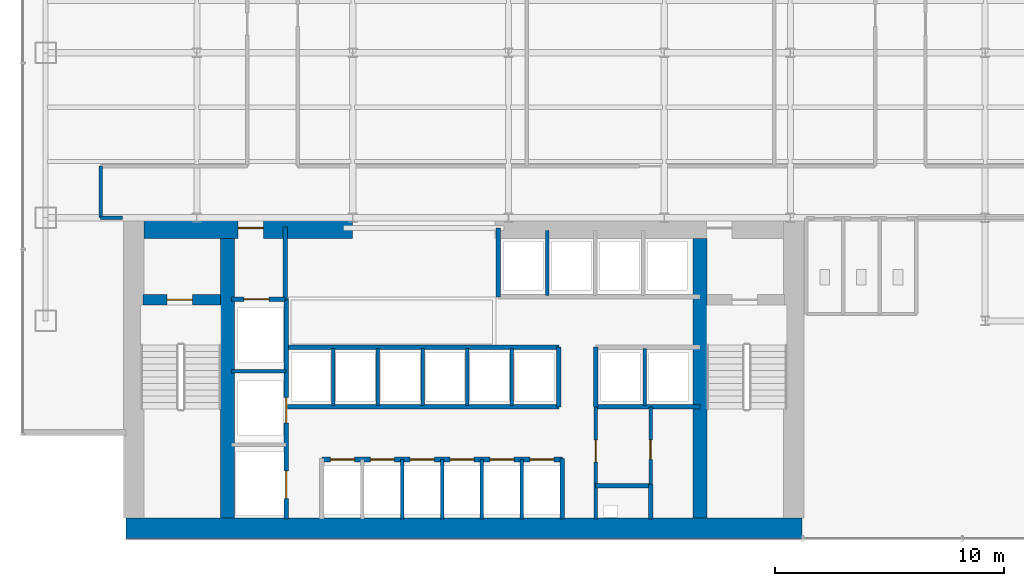
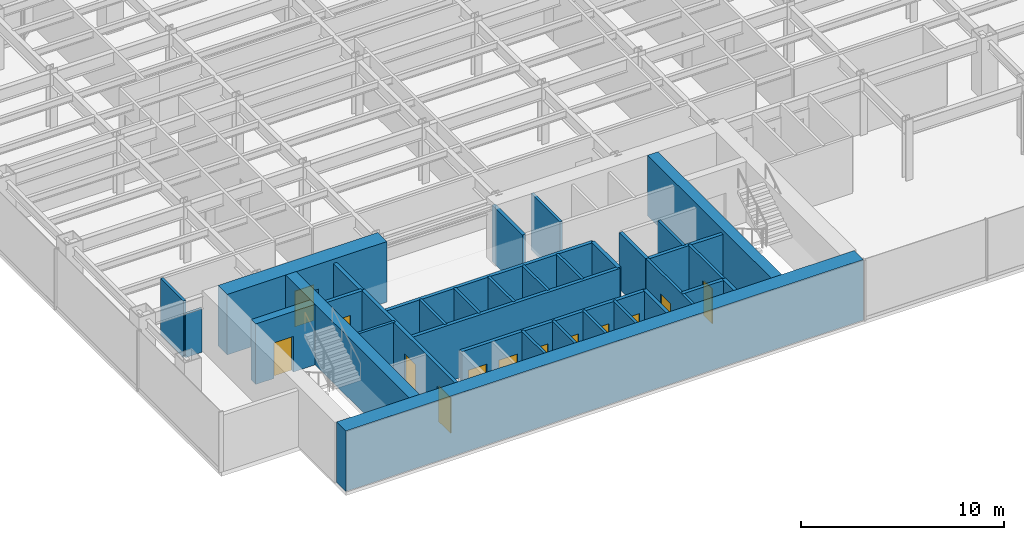
# One storey, part 17 of 22: 34 walls, 13 doors, 13 openings.
"""IFC4 building model written with IfcOpenShell, lengths in metres."""

from ifc_helpers import new_model, si_unit, derived_unit, direction, frame, frame_2d, origin, place, context, subcontext, project, spatial, rectangle, extrude, source, transform, mapped, material, layer, layer_set, type_object, element, fill, save


model = new_model("IFC4")

# Units and contexts
model_context = context("Model", 3, precision=1e-05, world=origin(), true_north=direction((0.0, 1.0)))
body_context = subcontext(model_context, "Body", "Model", "MODEL_VIEW")
ifc_project = project(units=[si_unit("LENGTHUNIT", "METRE"), si_unit("AREAUNIT", "SQUARE_METRE"), si_unit("VOLUMEUNIT", "CUBIC_METRE"), si_unit("PLANEANGLEUNIT", "RADIAN"), si_unit("MASSUNIT", "GRAM", prefix="KILO"), derived_unit("THERMALTRANSMITTANCEUNIT", [(si_unit("POWERUNIT", "WATT"), 1), (si_unit("LENGTHUNIT", "METRE"), -2), (si_unit("THERMODYNAMICTEMPERATUREUNIT", "KELVIN"), -1)])], contexts=[model_context])

# Site, building, storey
site_placement = place(None, origin())
site = spatial("IfcSite", under=ifc_project, at=site_placement, CompositionType="ELEMENT")
building_placement = place(site_placement, origin())
building = spatial("IfcBuilding", under=site, at=building_placement, Name="Skarnbrae Concourse Arena and Tower", CompositionType="ELEMENT")
storey_placement = place(building_placement, frame((0.0, 0.0, 36.14990234375)))
storey = spatial("IfcBuildingStorey", under=building, at=storey_placement, Name="L07", CompositionType="ELEMENT", Elevation=36.14990234375)

# Wall
ifc_material_1 = material(Name="Concrete 70 MPa (C70/85)", Category="concrete")
ifc_layer_1 = layer(ifc_material_1, 0.89990234375)
ifc_layer_set_1 = layer_set([ifc_layer_1], Name="Concrete 70 MPa (C70/85)")
wall_type_1 = type_object("IfcWallType", Name="WALL-CORE-900-C70", PredefinedType="SHEAR", material=ifc_layer_set_1)
shared_shape_1 = source(origin(), body_context, "Body", "SweptSolid", [
    extrude(rectangle(XDim=29.5, YDim=0.89990234375, at=frame_2d((14.75, 0.0))), origin(), (0.0, 0.0, 1.0), 3.650146484375),
])
wall_1_placement = place(storey_placement, frame((4.5, 0.449951171875, 0.0), z_axis=(0.0, 0.0, 1.0), x_axis=(1.0, 0.0, 0.0)))
element("IfcWall", 1, at=wall_1_placement, inside=storey, type_object=wall_type_1, Name="L07 Rear core shear wall CW-S", PredefinedType="SHEAR", context=body_context, shape_type="MappedRepresentation", body=[
    mapped(shared_shape_1, transform((0.0, 0.0, 0.0))),
])

# Wall, opening, door
shared_shape_2 = source(origin(), body_context, "Body", "SweptSolid", [
    extrude(rectangle(XDim=9.099853515625, YDim=0.89990234375, at=frame_2d((4.5498046875, 0.0))), origin(), (0.0, 0.0, 1.0), 3.650146484375),
])
wall_2_placement = place(storey_placement, frame((5.300048828125, 13.550048828125, 0.0), z_axis=(0.0, 0.0, 1.0), x_axis=(1.0, 0.0, 0.0)))
wall_2 = element("IfcWall", 2, at=wall_2_placement, inside=storey, type_object=wall_type_1, Name="L07 Rear core shear wall CW-NW", PredefinedType="SHEAR", context=body_context, shape_type="MappedRepresentation", body=[
    mapped(shared_shape_2, transform((0.0, 0.0, 0.0))),
])
opening_1_placement = place(wall_2_placement, frame((4.10009765625, 0.0, 0.0)))
opening_1 = element("IfcOpeningElement", 3, at=opening_1_placement, cuts=wall_2, Name="Opening DT-03", PredefinedType="OPENING", context=body_context, shape_type="SweptSolid", body=[
    extrude(rectangle(XDim=1.10009765625, YDim=2.14990234375, at=frame_2d((0.550048828125, 1.074951171875))), frame((0.0, 0.4599609375, 0.0), z_axis=(0.0, -1.0, 0.0), x_axis=(1.0, 0.0, 0.0)), (0.0, 0.0, 1.0), 0.919921875),
])
ifc_material_2 = material(Name="Steel CSA G40.21 350W", Category="steel")
door_type_1 = type_object("IfcDoorType", Name="DOOR-FIRE-1100-90M", OperationType="NOTDEFINED", PredefinedType="DOOR", material=ifc_material_2)
shared_shape_3 = source(origin(), body_context, "Body", "SweptSolid", [
    extrude(rectangle(XDim=1.10009765625, YDim=2.14990234375, at=frame_2d((0.550048828125, 1.074951171875))), frame((0.0, 0.02490234375, 0.0), z_axis=(0.0, -1.0, 0.0), x_axis=(1.0, 0.0, 0.0)), (0.0, 0.0, 1.0), 0.050048828125),
])
door_1_placement = place(opening_1_placement, origin())
door_1 = element("IfcDoor", 4, at=door_1_placement, inside=storey, type_object=door_type_1, Name="D-0359 Firefighting Lobby Exit Door", OperationType="SINGLE_SWING_RIGHT", OverallHeight=2.14990234375, OverallWidth=1.10009765625, PredefinedType="DOOR", context=body_context, shape_type="MappedRepresentation", body=[
    mapped(shared_shape_3, transform((0.0, 0.0, 0.0))),
])
fill(opening_1, door_1)

# Walls
ifc_layer_2 = layer(ifc_material_1, 0.60009765625)
ifc_layer_set_2 = layer_set([ifc_layer_2], Name="Concrete 70 MPa (C70/85)")
wall_type_2 = type_object("IfcWallType", Name="WALL-CORE-600-C70", PredefinedType="SHEAR", material=ifc_layer_set_2)
shared_shape_4 = source(origin(), body_context, "Body", "SweptSolid", [
    extrude(rectangle(XDim=12.2001953125, YDim=0.60009765625, at=frame_2d((6.10009765625, 0.0))), origin(), (0.0, 0.0, 1.0), 3.650146484375),
])
for number, where, z_axis, x_axis, name in (
    (5, (8.93994140625, 0.89990234375, 0.0), (0.0, 0.0, 1.0), (0.0, 1.0, 0.0), "L07 Rear core shear wall CW-WEB-W"),
    (6, (29.56005859375, 0.89990234375, 0.0), (0.0, 0.0, 1.0), (0.0, 1.0, 0.0), "L07 Rear core shear wall CW-WEB-E"),
):
    element("IfcWall", number, at=place(storey_placement, frame(where, z_axis=z_axis, x_axis=x_axis)), inside=storey, type_object=wall_type_2, Name=name, PredefinedType="SHEAR", context=body_context, shape_type="MappedRepresentation", body=[
        mapped(shared_shape_4, transform((0.0, 0.0, 0.0))),
    ])

# Wall, opening, door
ifc_material_3 = material(Name="Concrete 50 MPa (C50/60)", Category="concrete")
ifc_layer_3 = layer(ifc_material_3, 0.449951171875)
ifc_layer_set_3 = layer_set([ifc_layer_3], Name="Concrete 50 MPa (C50/60)")
wall_type_3 = type_object("IfcWallType", Name="WALL-CORE-450-C50", PredefinedType="SHEAR", material=ifc_layer_set_3)
shared_shape_5 = source(origin(), body_context, "Body", "SweptSolid", [
    extrude(rectangle(XDim=3.389892578125, YDim=0.449951171875, at=frame_2d((1.69482421875, 0.0))), origin(), (0.0, 0.0, 1.0), 3.650146484375),
])
wall_3_placement = place(storey_placement, frame((5.25, 10.419921875, 0.0), z_axis=(0.0, 0.0, 1.0), x_axis=(1.0, 0.0, 0.0)))
wall_3 = element("IfcWall", 7, at=wall_3_placement, inside=storey, type_object=wall_type_3, Name="L07 Rear core shear wall CW-ST1-N", PredefinedType="SHEAR", context=body_context, shape_type="MappedRepresentation", body=[
    mapped(shared_shape_5, transform((0.0, 0.0, 0.0))),
])
opening_2_placement = place(wall_3_placement, frame((1.050048828125, 0.0, 0.0)))
opening_2 = element("IfcOpeningElement", 8, at=opening_2_placement, cuts=wall_3, Name="Opening DT-03", PredefinedType="OPENING", context=body_context, shape_type="SweptSolid", body=[
    extrude(rectangle(XDim=1.10009765625, YDim=2.14990234375, at=frame_2d((0.550048828125, 1.074951171875))), frame((0.0, 0.23486328125, 0.0), z_axis=(0.0, -1.0, 0.0), x_axis=(1.0, 0.0, 0.0)), (0.0, 0.0, 1.0), 0.469970703125),
])
door_2_placement = place(opening_2_placement, frame((1.10009765625, 0.0, 0.0), z_axis=(0.0, 0.0, 1.0), x_axis=(-1.0, 0.0, 0.0)))
door_2 = element("IfcDoor", 9, at=door_2_placement, inside=storey, type_object=door_type_1, Name="D-0357 Stair ST-1 Door", OperationType="SINGLE_SWING_LEFT", OverallHeight=2.14990234375, OverallWidth=1.10009765625, PredefinedType="DOOR", context=body_context, shape_type="MappedRepresentation", body=[
    mapped(shared_shape_3, transform((0.0, 0.0, 0.0))),
])
fill(opening_2, door_2)

# Walls
ifc_material_4 = material(Name="Gypsum board on cold-formed steel studs", Category="steel")
ifc_layer_4 = layer(ifc_material_4, 0.14990234375)
ifc_layer_set_4 = layer_set([ifc_layer_4], Name="Gypsum board on cold-formed steel studs")
wall_type_4 = type_object("IfcWallType", Name="WALL-PART-150-1HR", PredefinedType="PARTITIONING", material=ifc_layer_set_4)
shared_shape_6 = source(origin(), body_context, "Body", "SweptSolid", [
    extrude(rectangle(XDim=0.9501953125, YDim=0.14990234375, at=frame_2d((0.47509765625, 0.0))), origin(), (0.0, 0.0, 1.0), 2.625),
])
wall_4_placement = place(storey_placement, frame((4.35009765625, 14.0, 0.0), z_axis=(0.0, 0.0, 1.0), x_axis=(-1.0, 0.0, 0.0)))
element("IfcWall", 10, at=wall_4_placement, inside=storey, type_object=wall_type_4, Name="L07 Interior partition wall W-L07-COR-01", PredefinedType="PARTITIONING", context=body_context, shape_type="MappedRepresentation", body=[
    mapped(shared_shape_6, transform((0.0, 0.0, 0.0))),
])
ifc_layer_5 = layer(ifc_material_4, 0.199951171875)
ifc_layer_set_5 = layer_set([ifc_layer_5], Name="Gypsum board on cold-formed steel studs")
wall_type_5 = type_object("IfcWallType", Name="WALL-PART-200-2HR", PredefinedType="PARTITIONING", material=ifc_layer_set_5)
shared_shape_7 = source(origin(), body_context, "Body", "SweptSolid", [
    extrude(rectangle(XDim=3.18017578125, YDim=0.199951171875, at=frame_2d((1.590087890625, 0.0))), origin(), (0.0, 0.0, 1.0), 3.400146484375),
])
wall_5_placement = place(storey_placement, frame((11.449951171875, 10.419921875, 0.0), z_axis=(0.0, 0.0, 1.0), x_axis=(0.0, 1.0, 0.0)))
element("IfcWall", 11, at=wall_5_placement, inside=storey, type_object=wall_type_5, Name="L07 Interior partition wall W-L07-FFL-E", PredefinedType="PARTITIONING", context=body_context, shape_type="MappedRepresentation", body=[
    mapped(shared_shape_7, transform((0.0, 0.0, 0.0))),
])

# Wall, opening, door
shared_shape_8 = source(origin(), body_context, "Body", "SweptSolid", [
    extrude(rectangle(XDim=2.349853515625, YDim=0.199951171875, at=frame_2d((1.1748046875, 0.0))), origin(), (0.0, 0.0, 1.0), 3.400146484375),
])
wall_6_placement = place(storey_placement, frame((9.10009765625, 10.449951171875, 0.0), z_axis=(0.0, 0.0, 1.0), x_axis=(1.0, 0.0, 0.0)))
wall_6 = element("IfcWall", 12, at=wall_6_placement, inside=storey, type_object=wall_type_5, Name="L07 Interior partition wall W-L07-FL1-N", PredefinedType="PARTITIONING", context=body_context, shape_type="MappedRepresentation", body=[
    mapped(shared_shape_8, transform((0.0, 0.0, 0.0))),
])
opening_3_placement = place(wall_6_placement, frame((0.550048828125, 0.0, 0.0)))
opening_3 = element("IfcOpeningElement", 13, at=opening_3_placement, cuts=wall_6, Name="Opening LD-01", PredefinedType="OPENING", context=body_context, shape_type="SweptSolid", body=[
    extrude(rectangle(XDim=1.10009765625, YDim=2.14990234375, at=frame_2d((0.550048828125, 1.074951171875))), frame((0.0, 0.10986328125, 0.0), z_axis=(0.0, -1.0, 0.0), x_axis=(1.0, 0.0, 0.0)), (0.0, 0.0, 1.0), 0.219970703125),
])
door_type_2 = type_object("IfcDoorType", Name="DOOR-LIFT-SLIDE-1100", OperationType="SLIDING_TO_LEFT", PredefinedType="DOOR", material=ifc_material_2)
door_3_placement = place(opening_3_placement, origin())
door_3 = element("IfcDoor", 14, at=door_3_placement, inside=storey, type_object=door_type_2, Name="D-0361 Firefighting Lift Landing Door FL-01", OperationType="SLIDING_TO_LEFT", OverallHeight=2.14990234375, OverallWidth=1.10009765625, PredefinedType="DOOR", context=body_context, shape_type="MappedRepresentation", body=[
    mapped(shared_shape_3, transform((0.0, 0.0, 0.0))),
])
fill(opening_3, door_3)

# Wall, openings, doors
shared_shape_9 = source(origin(), body_context, "Body", "SweptSolid", [
    extrude(rectangle(XDim=9.599853515625, YDim=0.199951171875, at=frame_2d((4.7998046875, 0.0))), origin(), (0.0, 0.0, 1.0), 3.400146484375),
])
wall_7_placement = place(storey_placement, frame((11.5, 0.85009765625, 0.0), z_axis=(0.0, 0.0, 1.0), x_axis=(0.0, 1.0, 0.0)))
wall_7 = element("IfcWall", 15, at=wall_7_placement, inside=storey, type_object=wall_type_5, Name="L07 Interior partition wall W-L07-FL-E", PredefinedType="PARTITIONING", context=body_context, shape_type="MappedRepresentation", body=[
    mapped(shared_shape_9, transform((0.0, 0.0, 0.0))),
])
opening_4_placement = place(wall_7_placement, frame((4.199951171875, 0.0, 0.0)))
opening_4 = element("IfcOpeningElement", 16, at=opening_4_placement, cuts=wall_7, Name="Opening LD-01", PredefinedType="OPENING", context=body_context, shape_type="SweptSolid", body=[
    extrude(rectangle(XDim=1.10009765625, YDim=2.14990234375, at=frame_2d((0.550048828125, 1.074951171875))), frame((0.0, 0.10986328125, 0.0), z_axis=(0.0, -1.0, 0.0), x_axis=(1.0, 0.0, 0.0)), (0.0, 0.0, 1.0), 0.219970703125),
])
opening_5_placement = place(wall_7_placement, frame((0.89990234375, 0.0, 0.0)))
opening_5 = element("IfcOpeningElement", 17, at=opening_5_placement, cuts=wall_7, Name="Opening LD-02", PredefinedType="OPENING", context=body_context, shape_type="SweptSolid", body=[
    extrude(rectangle(XDim=1.199951171875, YDim=2.14990234375, at=frame_2d((0.60009765625, 1.074951171875))), frame((0.0, 0.10986328125, 0.0), z_axis=(0.0, -1.0, 0.0), x_axis=(1.0, 0.0, 0.0)), (0.0, 0.0, 1.0), 0.219970703125),
])
door_4_placement = place(opening_4_placement, frame((1.10009765625, 0.0, 0.0), z_axis=(0.0, 0.0, 1.0), x_axis=(-1.0, 0.0, 0.0)))
door_4 = element("IfcDoor", 18, at=door_4_placement, inside=storey, type_object=door_type_2, Name="D-0362 Firefighting Lift Landing Door FL-02", OperationType="SLIDING_TO_LEFT", OverallHeight=2.14990234375, OverallWidth=1.10009765625, PredefinedType="DOOR", context=body_context, shape_type="MappedRepresentation", body=[
    mapped(shared_shape_3, transform((0.0, 0.0, 0.0))),
])
fill(opening_4, door_4)
door_type_3 = type_object("IfcDoorType", Name="DOOR-LIFT-SLIDE-1200", OperationType="SLIDING_TO_LEFT", PredefinedType="DOOR", material=ifc_material_2)
shared_shape_10 = source(origin(), body_context, "Body", "SweptSolid", [
    extrude(rectangle(XDim=1.199951171875, YDim=2.14990234375, at=frame_2d((0.60009765625, 1.074951171875))), frame((0.0, 0.02490234375, 0.0), z_axis=(0.0, -1.0, 0.0), x_axis=(1.0, 0.0, 0.0)), (0.0, 0.0, 1.0), 0.050048828125),
])
door_5_placement = place(opening_5_placement, frame((1.199951171875, 0.0, 0.0), z_axis=(0.0, 0.0, 1.0), x_axis=(-1.0, 0.0, 0.0)))
door_5 = element("IfcDoor", 19, at=door_5_placement, inside=storey, type_object=door_type_3, Name="D-0363 Service Lift Landing Door SV-01", OperationType="SLIDING_TO_LEFT", OverallHeight=2.14990234375, OverallWidth=1.199951171875, PredefinedType="DOOR", context=body_context, shape_type="MappedRepresentation", body=[
    mapped(shared_shape_10, transform((0.0, 0.0, 0.0))),
])
fill(opening_5, door_5)

# Walls
ifc_layer_6 = layer(ifc_material_4, 0.14990234375)
ifc_layer_set_6 = layer_set([ifc_layer_6], Name="Gypsum board on cold-formed steel studs")
wall_type_6 = type_object("IfcWallType", Name="WALL-PART-150", PredefinedType="PARTITIONING", material=ifc_layer_set_6)
shared_shape_11 = source(origin(), body_context, "Body", "SweptSolid", [
    extrude(rectangle(XDim=2.39990234375, YDim=0.14990234375, at=frame_2d((1.199951171875, 0.0))), origin(), (0.0, 0.0, 1.0), 3.400146484375),
])
wall_8_placement = place(storey_placement, frame((9.10009765625, 7.300048828125, 0.0), z_axis=(0.0, 0.0, 1.0), x_axis=(1.0, 0.0, 0.0)))
element("IfcWall", 20, at=wall_8_placement, inside=storey, type_object=wall_type_6, Name="L07 Interior partition wall W-L07-FL-D2", PredefinedType="PARTITIONING", context=body_context, shape_type="MappedRepresentation", body=[
    mapped(shared_shape_11, transform((0.0, 0.0, 0.0))),
])
shared_shape_12 = source(origin(), body_context, "Body", "SweptSolid", [
    extrude(rectangle(XDim=2.64990234375, YDim=0.199951171875, at=frame_2d((1.324951171875, 0.0))), origin(), (0.0, 0.0, 1.0), 3.400146484375),
])
wall_9_placement = place(storey_placement, frame((23.550048828125, 0.85009765625, 0.0), z_axis=(0.0, 0.0, 1.0), x_axis=(0.0, 1.0, 0.0)))
element("IfcWall", 21, at=wall_9_placement, inside=storey, type_object=wall_type_5, Name="L07 Interior partition wall W-L07-B1-E", PredefinedType="PARTITIONING", context=body_context, shape_type="MappedRepresentation", body=[
    mapped(shared_shape_12, transform((0.0, 0.0, 0.0))),
])

# Wall, openings, doors
shared_shape_13 = source(origin(), body_context, "Body", "SweptSolid", [
    extrude(rectangle(XDim=10.5, YDim=0.199951171875, at=frame_2d((5.25, 0.0))), origin(), (0.0, 0.0, 1.0), 3.400146484375),
])
wall_10_placement = place(storey_placement, frame((13.050048828125, 3.449951171875, 0.0), z_axis=(0.0, 0.0, 1.0), x_axis=(1.0, 0.0, 0.0)))
wall_10 = element("IfcWall", 22, at=wall_10_placement, inside=storey, type_object=wall_type_5, Name="L07 Interior partition wall W-L07-B1-N", PredefinedType="PARTITIONING", context=body_context, shape_type="MappedRepresentation", body=[
    mapped(shared_shape_13, transform((0.0, 0.0, 0.0))),
])
opening_6_placement = place(wall_10_placement, frame((0.3798828125, 0.0, 0.0)))
opening_6 = element("IfcOpeningElement", 23, at=opening_6_placement, cuts=wall_10, Name="Opening LD-03", PredefinedType="OPENING", context=body_context, shape_type="SweptSolid", body=[
    extrude(rectangle(XDim=1.050048828125, YDim=2.14990234375, at=frame_2d((0.52490234375, 1.074951171875))), frame((0.0, 0.10986328125, 0.0), z_axis=(0.0, -1.0, 0.0), x_axis=(1.0, 0.0, 0.0)), (0.0, 0.0, 1.0), 0.219970703125),
])
opening_7_placement = place(wall_10_placement, frame((2.1201171875, 0.0, 0.0)))
opening_7 = element("IfcOpeningElement", 24, at=opening_7_placement, cuts=wall_10, Name="Opening LD-03", PredefinedType="OPENING", context=body_context, shape_type="SweptSolid", body=[
    extrude(rectangle(XDim=1.050048828125, YDim=2.14990234375, at=frame_2d((0.52490234375, 1.074951171875))), frame((0.0, 0.10986328125, 0.0), z_axis=(0.0, -1.0, 0.0), x_axis=(1.0, 0.0, 0.0)), (0.0, 0.0, 1.0), 0.219970703125),
])
opening_8_placement = place(wall_10_placement, frame((3.860107421875, 0.0, 0.0)))
opening_8 = element("IfcOpeningElement", 25, at=opening_8_placement, cuts=wall_10, Name="Opening LD-03", PredefinedType="OPENING", context=body_context, shape_type="SweptSolid", body=[
    extrude(rectangle(XDim=1.050048828125, YDim=2.14990234375, at=frame_2d((0.52490234375, 1.074951171875))), frame((0.0, 0.10986328125, 0.0), z_axis=(0.0, -1.0, 0.0), x_axis=(1.0, 0.0, 0.0)), (0.0, 0.0, 1.0), 0.219970703125),
])
opening_9_placement = place(wall_10_placement, frame((5.60009765625, 0.0, 0.0)))
opening_9 = element("IfcOpeningElement", 26, at=opening_9_placement, cuts=wall_10, Name="Opening LD-03", PredefinedType="OPENING", context=body_context, shape_type="SweptSolid", body=[
    extrude(rectangle(XDim=1.050048828125, YDim=2.14990234375, at=frame_2d((0.52490234375, 1.074951171875))), frame((0.0, 0.10986328125, 0.0), z_axis=(0.0, -1.0, 0.0), x_axis=(1.0, 0.0, 0.0)), (0.0, 0.0, 1.0), 0.219970703125),
])
opening_10_placement = place(wall_10_placement, frame((7.340087890625, 0.0, 0.0)))
opening_10 = element("IfcOpeningElement", 27, at=opening_10_placement, cuts=wall_10, Name="Opening LD-03", PredefinedType="OPENING", context=body_context, shape_type="SweptSolid", body=[
    extrude(rectangle(XDim=1.050048828125, YDim=2.14990234375, at=frame_2d((0.52490234375, 1.074951171875))), frame((0.0, 0.10986328125, 0.0), z_axis=(0.0, -1.0, 0.0), x_axis=(1.0, 0.0, 0.0)), (0.0, 0.0, 1.0), 0.219970703125),
])
opening_11_placement = place(wall_10_placement, frame((9.080078125, 0.0, 0.0)))
opening_11 = element("IfcOpeningElement", 28, at=opening_11_placement, cuts=wall_10, Name="Opening LD-03", PredefinedType="OPENING", context=body_context, shape_type="SweptSolid", body=[
    extrude(rectangle(XDim=1.050048828125, YDim=2.14990234375, at=frame_2d((0.52490234375, 1.074951171875))), frame((0.0, 0.10986328125, 0.0), z_axis=(0.0, -1.0, 0.0), x_axis=(1.0, 0.0, 0.0)), (0.0, 0.0, 1.0), 0.219970703125),
])
ifc_material_5 = material(Name="Bronze anodised aluminium 6063-T6", Category="aluminium")
door_type_4 = type_object("IfcDoorType", Name="DOOR-LIFT-SLIDE-1050", OperationType="SLIDING_TO_LEFT", PredefinedType="DOOR", material=ifc_material_5)
shared_shape_14 = source(origin(), body_context, "Body", "SweptSolid", [
    extrude(rectangle(XDim=1.050048828125, YDim=2.14990234375, at=frame_2d((0.52490234375, 1.074951171875))), frame((0.0, 0.02490234375, 0.0), z_axis=(0.0, -1.0, 0.0), x_axis=(1.0, 0.0, 0.0)), (0.0, 0.0, 1.0), 0.050048828125),
])
door_6_placement = place(opening_6_placement, origin())
door_6 = element("IfcDoor", 29, at=door_6_placement, inside=storey, type_object=door_type_4, Name="D-0364 Passenger Lift Landing Door PL-1A", OperationType="SLIDING_TO_LEFT", OverallHeight=2.14990234375, OverallWidth=1.050048828125, PredefinedType="DOOR", context=body_context, shape_type="MappedRepresentation", body=[
    mapped(shared_shape_14, transform((0.0, 0.0, 0.0))),
])
fill(opening_6, door_6)
door_7_placement = place(opening_7_placement, origin())
door_7 = element("IfcDoor", 30, at=door_7_placement, inside=storey, type_object=door_type_4, Name="D-0365 Passenger Lift Landing Door PL-1B", OperationType="SLIDING_TO_LEFT", OverallHeight=2.14990234375, OverallWidth=1.050048828125, PredefinedType="DOOR", context=body_context, shape_type="MappedRepresentation", body=[
    mapped(shared_shape_14, transform((0.0, 0.0, 0.0))),
])
fill(opening_7, door_7)
door_8_placement = place(opening_8_placement, origin())
door_8 = element("IfcDoor", 31, at=door_8_placement, inside=storey, type_object=door_type_4, Name="D-0366 Passenger Lift Landing Door PL-1C", OperationType="SLIDING_TO_LEFT", OverallHeight=2.14990234375, OverallWidth=1.050048828125, PredefinedType="DOOR", context=body_context, shape_type="MappedRepresentation", body=[
    mapped(shared_shape_14, transform((0.0, 0.0, 0.0))),
])
fill(opening_8, door_8)
door_9_placement = place(opening_9_placement, origin())
door_9 = element("IfcDoor", 32, at=door_9_placement, inside=storey, type_object=door_type_4, Name="D-0367 Passenger Lift Landing Door PL-1D", OperationType="SLIDING_TO_LEFT", OverallHeight=2.14990234375, OverallWidth=1.050048828125, PredefinedType="DOOR", context=body_context, shape_type="MappedRepresentation", body=[
    mapped(shared_shape_14, transform((0.0, 0.0, 0.0))),
])
fill(opening_9, door_9)
door_10_placement = place(opening_10_placement, origin())
door_10 = element("IfcDoor", 33, at=door_10_placement, inside=storey, type_object=door_type_4, Name="D-0368 Passenger Lift Landing Door PL-1E", OperationType="SLIDING_TO_LEFT", OverallHeight=2.14990234375, OverallWidth=1.050048828125, PredefinedType="DOOR", context=body_context, shape_type="MappedRepresentation", body=[
    mapped(shared_shape_14, transform((0.0, 0.0, 0.0))),
])
fill(opening_10, door_10)
door_11_placement = place(opening_11_placement, origin())
door_11 = element("IfcDoor", 34, at=door_11_placement, inside=storey, type_object=door_type_4, Name="D-0369 Passenger Lift Landing Door PL-1F", OperationType="SLIDING_TO_LEFT", OverallHeight=2.14990234375, OverallWidth=1.050048828125, PredefinedType="DOOR", context=body_context, shape_type="MappedRepresentation", body=[
    mapped(shared_shape_14, transform((0.0, 0.0, 0.0))),
])
fill(opening_11, door_11)

# Walls
shared_shape_15 = source(origin(), body_context, "Body", "SweptSolid", [
    extrude(rectangle(XDim=2.599853515625, YDim=0.14990234375, at=frame_2d((1.2998046875, 0.0))), origin(), (0.0, 0.0, 1.0), 3.400146484375),
])
for number, where, z_axis, x_axis, name in (
    (35, (16.56005859375, 0.85009765625, 0.0), (0.0, 0.0, 1.0), (0.0, 1.0, 0.0), "L07 Interior partition wall W-L07-B1-P2"),
    (36, (18.300048828125, 0.85009765625, 0.0), (0.0, 0.0, 1.0), (0.0, 1.0, 0.0), "L07 Interior partition wall W-L07-B1-P3"),
    (37, (20.0400390625, 0.85009765625, 0.0), (0.0, 0.0, 1.0), (0.0, 1.0, 0.0), "L07 Interior partition wall W-L07-B1-P4"),
    (38, (21.780029296875, 0.85009765625, 0.0), (0.0, 0.0, 1.0), (0.0, 1.0, 0.0), "L07 Interior partition wall W-L07-B1-P5"),
):
    element("IfcWall", number, at=place(storey_placement, frame(where, z_axis=z_axis, x_axis=x_axis)), inside=storey, type_object=wall_type_6, Name=name, PredefinedType="PARTITIONING", context=body_context, shape_type="MappedRepresentation", body=[
        mapped(shared_shape_15, transform((0.0, 0.0, 0.0))),
    ])
shared_shape_16 = source(origin(), body_context, "Body", "SweptSolid", [
    extrude(rectangle(XDim=11.849853515625, YDim=0.199951171875, at=frame_2d((5.9248046875, 0.0))), origin(), (0.0, 0.0, 1.0), 3.400146484375),
])
for number, where, z_axis, x_axis, name in (
    (39, (11.550048828125, 5.75, 0.0), (0.0, 0.0, 1.0), (1.0, 0.0, 0.0), "L07 Interior partition wall W-L07-B2-S"),
    (40, (11.550048828125, 8.35009765625, 0.0), (0.0, 0.0, 1.0), (1.0, 0.0, 0.0), "L07 Interior partition wall W-L07-B2-N"),
):
    element("IfcWall", number, at=place(storey_placement, frame(where, z_axis=z_axis, x_axis=x_axis)), inside=storey, type_object=wall_type_5, Name=name, PredefinedType="PARTITIONING", context=body_context, shape_type="MappedRepresentation", body=[
        mapped(shared_shape_16, transform((0.0, 0.0, 0.0))),
    ])
shared_shape_17 = source(origin(), body_context, "Body", "SweptSolid", [
    extrude(rectangle(XDim=2.60009765625, YDim=0.199951171875, at=frame_2d((1.300048828125, 0.0))), origin(), (0.0, 0.0, 1.0), 3.400146484375),
])
for number, where, z_axis, x_axis, name in (
    (41, (23.39990234375, 5.75, 0.0), (0.0, 0.0, 1.0), (0.0, 1.0, 0.0), "L07 Interior partition wall W-L07-B2-E"),
    (42, (25.0, 5.75, 0.0), (0.0, 0.0, 1.0), (0.0, 1.0, 0.0), "L07 Interior partition wall W-L07-B3S-W"),
):
    element("IfcWall", number, at=place(storey_placement, frame(where, z_axis=z_axis, x_axis=x_axis)), inside=storey, type_object=wall_type_5, Name=name, PredefinedType="PARTITIONING", context=body_context, shape_type="MappedRepresentation", body=[
        mapped(shared_shape_17, transform((0.0, 0.0, 0.0))),
    ])
shared_shape_18 = source(origin(), body_context, "Body", "SweptSolid", [
    extrude(rectangle(XDim=2.5, YDim=0.14990234375, at=frame_2d((1.25, 0.0))), origin(), (0.0, 0.0, 1.0), 3.400146484375),
])
for number, where, z_axis, x_axis, name in (
    (43, (13.550048828125, 5.800048828125, 0.0), (0.0, 0.0, 1.0), (0.0, 1.0, 0.0), "L07 Interior partition wall W-L07-B2-P1"),
    (44, (15.5, 5.800048828125, 0.0), (0.0, 0.0, 1.0), (0.0, 1.0, 0.0), "L07 Interior partition wall W-L07-B2-P2"),
    (45, (17.449951171875, 5.800048828125, 0.0), (0.0, 0.0, 1.0), (0.0, 1.0, 0.0), "L07 Interior partition wall W-L07-B2-P3"),
    (46, (19.39990234375, 5.800048828125, 0.0), (0.0, 0.0, 1.0), (0.0, 1.0, 0.0), "L07 Interior partition wall W-L07-B2-P4"),
    (47, (21.35009765625, 5.800048828125, 0.0), (0.0, 0.0, 1.0), (0.0, 1.0, 0.0), "L07 Interior partition wall W-L07-B2-P5"),
    (48, (27.139892578125, 5.800048828125, 0.0), (0.0, 0.0, 1.0), (0.0, 1.0, 0.0), "L07 Interior partition wall W-L07-B3S-P1"),
):
    element("IfcWall", number, at=place(storey_placement, frame(where, z_axis=z_axis, x_axis=x_axis)), inside=storey, type_object=wall_type_6, Name=name, PredefinedType="PARTITIONING", context=body_context, shape_type="MappedRepresentation", body=[
        mapped(shared_shape_18, transform((0.0, 0.0, 0.0))),
    ])
shared_shape_19 = source(origin(), body_context, "Body", "SweptSolid", [
    extrude(rectangle(XDim=3.0, YDim=0.199951171875, at=frame_2d((1.5, 0.0))), origin(), (0.0, 0.0, 1.0), 3.400146484375),
])
wall_11_placement = place(storey_placement, frame((20.75, 10.550048828125, 0.0), z_axis=(0.0, 0.0, 1.0), x_axis=(0.0, 1.0, 0.0)))
element("IfcWall", 49, at=wall_11_placement, inside=storey, type_object=wall_type_5, Name="L07 Interior partition wall W-L07-B3N-W", PredefinedType="PARTITIONING", context=body_context, shape_type="MappedRepresentation", body=[
    mapped(shared_shape_19, transform((0.0, 0.0, 0.0))),
])
shared_shape_20 = source(origin(), body_context, "Body", "SweptSolid", [
    extrude(rectangle(XDim=2.849853515625, YDim=0.14990234375, at=frame_2d((1.4248046875, 0.0))), origin(), (0.0, 0.0, 1.0), 3.400146484375),
])
wall_12_placement = place(storey_placement, frame((22.889892578125, 10.60009765625, 0.0), z_axis=(0.0, 0.0, 1.0), x_axis=(0.0, 1.0, 0.0)))
element("IfcWall", 50, at=wall_12_placement, inside=storey, type_object=wall_type_6, Name="L07 Interior partition wall W-L07-B3N-P1", PredefinedType="PARTITIONING", context=body_context, shape_type="MappedRepresentation", body=[
    mapped(shared_shape_20, transform((0.0, 0.0, 0.0))),
])
shared_shape_21 = source(origin(), body_context, "Body", "SweptSolid", [
    extrude(rectangle(XDim=4.550048828125, YDim=0.199951171875, at=frame_2d((2.27490234375, 0.0))), origin(), (0.0, 0.0, 1.0), 3.400146484375),
])
wall_13_placement = place(storey_placement, frame((25.0, 5.75, 0.0), z_axis=(0.0, 0.0, 1.0), x_axis=(1.0, 0.0, 0.0)))
element("IfcWall", 51, at=wall_13_placement, inside=storey, type_object=wall_type_5, Name="L07 Interior partition wall W-L07-B3S-S", PredefinedType="PARTITIONING", context=body_context, shape_type="MappedRepresentation", body=[
    mapped(shared_shape_21, transform((0.0, 0.0, 0.0))),
])

# Wall, opening, door
shared_shape_22 = source(origin(), body_context, "Body", "SweptSolid", [
    extrude(rectangle(XDim=4.89990234375, YDim=0.14990234375, at=frame_2d((2.449951171875, 0.0))), origin(), (0.0, 0.0, 1.0), 3.400146484375),
])
wall_14_placement = place(storey_placement, frame((25.0, 0.85009765625, 0.0), z_axis=(0.0, 0.0, 1.0), x_axis=(0.0, 1.0, 0.0)))
wall_14 = element("IfcWall", 52, at=wall_14_placement, inside=storey, type_object=wall_type_4, Name="L07 Interior partition wall W-L07-CSV-W", PredefinedType="PARTITIONING", context=body_context, shape_type="MappedRepresentation", body=[
    mapped(shared_shape_22, transform((0.0, 0.0, 0.0))),
])
opening_12_placement = place(wall_14_placement, frame((2.5, 0.0, 0.0)))
opening_12 = element("IfcOpeningElement", 53, at=opening_12_placement, cuts=wall_14, Name="Opening DT-04", PredefinedType="OPENING", context=body_context, shape_type="SweptSolid", body=[
    extrude(rectangle(XDim=0.949951171875, YDim=2.14990234375, at=frame_2d((0.47509765625, 1.074951171875))), frame((0.0, 0.0849609375, 0.0), z_axis=(0.0, -1.0, 0.0), x_axis=(1.0, 0.0, 0.0)), (0.0, 0.0, 1.0), 0.169921875),
])
door_type_5 = type_object("IfcDoorType", Name="DOOR-INT-950-45M", OperationType="NOTDEFINED", PredefinedType="DOOR", material=ifc_material_2)
shared_shape_23 = source(origin(), body_context, "Body", "SweptSolid", [
    extrude(rectangle(XDim=0.949951171875, YDim=2.14990234375, at=frame_2d((0.47509765625, 1.074951171875))), frame((0.0, 0.02490234375, 0.0), z_axis=(0.0, -1.0, 0.0), x_axis=(1.0, 0.0, 0.0)), (0.0, 0.0, 1.0), 0.050048828125),
])
door_12_placement = place(opening_12_placement, origin())
door_12 = element("IfcDoor", 54, at=door_12_placement, inside=storey, type_object=door_type_5, Name="D-0370 Core Pantry Door", OperationType="SINGLE_SWING_RIGHT", OverallHeight=2.14990234375, OverallWidth=0.949951171875, PredefinedType="DOOR", context=body_context, shape_type="MappedRepresentation", body=[
    mapped(shared_shape_23, transform((0.0, 0.0, 0.0))),
])
fill(opening_12, door_12)

# Walls
shared_shape_24 = source(origin(), body_context, "Body", "SweptSolid", [
    extrude(rectangle(XDim=2.39990234375, YDim=0.199951171875, at=frame_2d((1.199951171875, 0.0))), origin(), (0.0, 0.0, 1.0), 3.400146484375),
])
wall_15_placement = place(storey_placement, frame((25.0, 2.300048828125, 0.0), z_axis=(0.0, 0.0, 1.0), x_axis=(1.0, 0.0, 0.0)))
element("IfcWall", 55, at=wall_15_placement, inside=storey, type_object=wall_type_5, Name="L07 Interior partition wall W-L07-MEP-N", PredefinedType="PARTITIONING", context=body_context, shape_type="MappedRepresentation", body=[
    mapped(shared_shape_24, transform((0.0, 0.0, 0.0))),
])
shared_shape_25 = source(origin(), body_context, "Body", "SweptSolid", [
    extrude(rectangle(XDim=1.5, YDim=0.199951171875, at=frame_2d((0.75, 0.0))), origin(), (0.0, 0.0, 1.0), 3.400146484375),
])
wall_16_placement = place(storey_placement, frame((27.39990234375, 0.85009765625, 0.0), z_axis=(0.0, 0.0, 1.0), x_axis=(0.0, 1.0, 0.0)))
element("IfcWall", 56, at=wall_16_placement, inside=storey, type_object=wall_type_5, Name="L07 Interior partition wall W-L07-MEP-E", PredefinedType="PARTITIONING", context=body_context, shape_type="MappedRepresentation", body=[
    mapped(shared_shape_25, transform((0.0, 0.0, 0.0))),
])

# Wall, opening, door
shared_shape_26 = source(origin(), body_context, "Body", "SweptSolid", [
    extrude(rectangle(XDim=3.39990234375, YDim=0.14990234375, at=frame_2d((1.699951171875, 0.0))), origin(), (0.0, 0.0, 1.0), 3.400146484375),
])
wall_17_placement = place(storey_placement, frame((27.39990234375, 2.35009765625, 0.0), z_axis=(0.0, 0.0, 1.0), x_axis=(0.0, 1.0, 0.0)))
wall_17 = element("IfcWall", 57, at=wall_17_placement, inside=storey, type_object=wall_type_6, Name="L07 Interior partition wall W-L07-CSV-V", PredefinedType="PARTITIONING", context=body_context, shape_type="MappedRepresentation", body=[
    mapped(shared_shape_26, transform((0.0, 0.0, 0.0))),
])
opening_13_placement = place(wall_17_placement, frame((1.10009765625, 0.0, 0.0)))
opening_13 = element("IfcOpeningElement", 58, at=opening_13_placement, cuts=wall_17, Name="Opening DT-06", PredefinedType="OPENING", context=body_context, shape_type="SweptSolid", body=[
    extrude(rectangle(XDim=0.85009765625, YDim=2.10009765625, at=frame_2d((0.425048828125, 1.050048828125))), frame((0.0, 0.0849609375, 0.0), z_axis=(0.0, -1.0, 0.0), x_axis=(1.0, 0.0, 0.0)), (0.0, 0.0, 1.0), 0.169921875),
])
ifc_material_6 = material(Name="Architectural oak veneer timber leaf", Category="wood")
door_type_6 = type_object("IfcDoorType", Name="DOOR-INT-850", OperationType="NOTDEFINED", PredefinedType="DOOR", material=ifc_material_6)
shared_shape_27 = source(origin(), body_context, "Body", "SweptSolid", [
    extrude(rectangle(XDim=0.85009765625, YDim=2.10009765625, at=frame_2d((0.425048828125, 1.050048828125))), frame((0.0, 0.02490234375, 0.0), z_axis=(0.0, -1.0, 0.0), x_axis=(1.0, 0.0, 0.0)), (0.0, 0.0, 1.0), 0.050048828125),
])
door_13_placement = place(opening_13_placement, frame((0.85009765625, 0.0, 0.0), z_axis=(0.0, 0.0, 1.0), x_axis=(-1.0, 0.0, 0.0)))
door_13 = element("IfcDoor", 59, at=door_13_placement, inside=storey, type_object=door_type_6, Name="D-0371 Supply Cupboard Door", OperationType="SINGLE_SWING_LEFT", OverallHeight=2.10009765625, OverallWidth=0.85009765625, PredefinedType="DOOR", context=body_context, shape_type="MappedRepresentation", body=[
    mapped(shared_shape_27, transform((0.0, 0.0, 0.0))),
])
fill(opening_13, door_13)

# Wall
shared_shape_28 = source(origin(), body_context, "Body", "SweptSolid", [
    extrude(rectangle(XDim=2.25, YDim=0.14990234375, at=frame_2d((1.125, 0.0))), origin(), (0.0, 0.0, 1.0), 3.400146484375),
])
wall_18_placement = place(storey_placement, frame((3.39990234375, 14.0, 0.0), z_axis=(0.0, 0.0, 1.0), x_axis=(0.0, 1.0, 0.0)))
element("IfcWall", 60, at=wall_18_placement, inside=storey, type_object=wall_type_4, Name="L07 Interior partition wall W-L07-COR-02", PredefinedType="PARTITIONING", context=body_context, shape_type="MappedRepresentation", body=[
    mapped(shared_shape_28, transform((0.0, 0.0, 0.0))),
])

save(model, "model.ifc")
